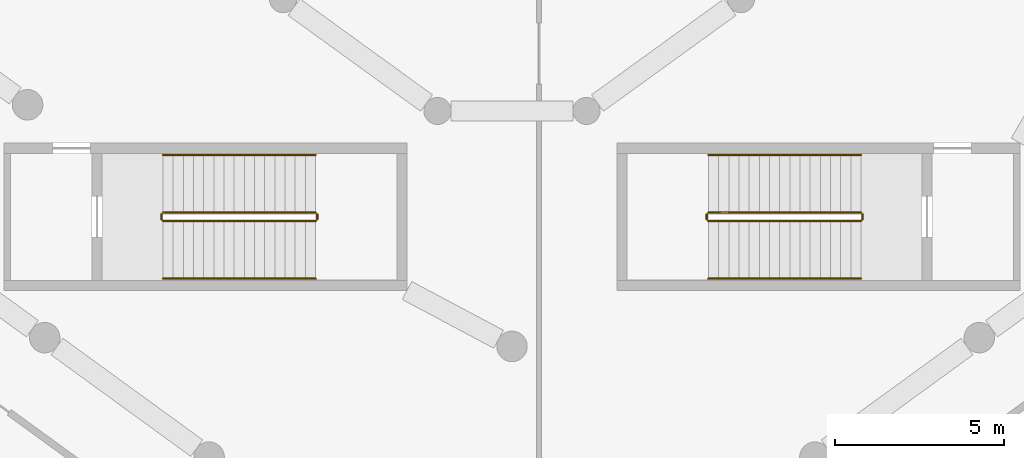
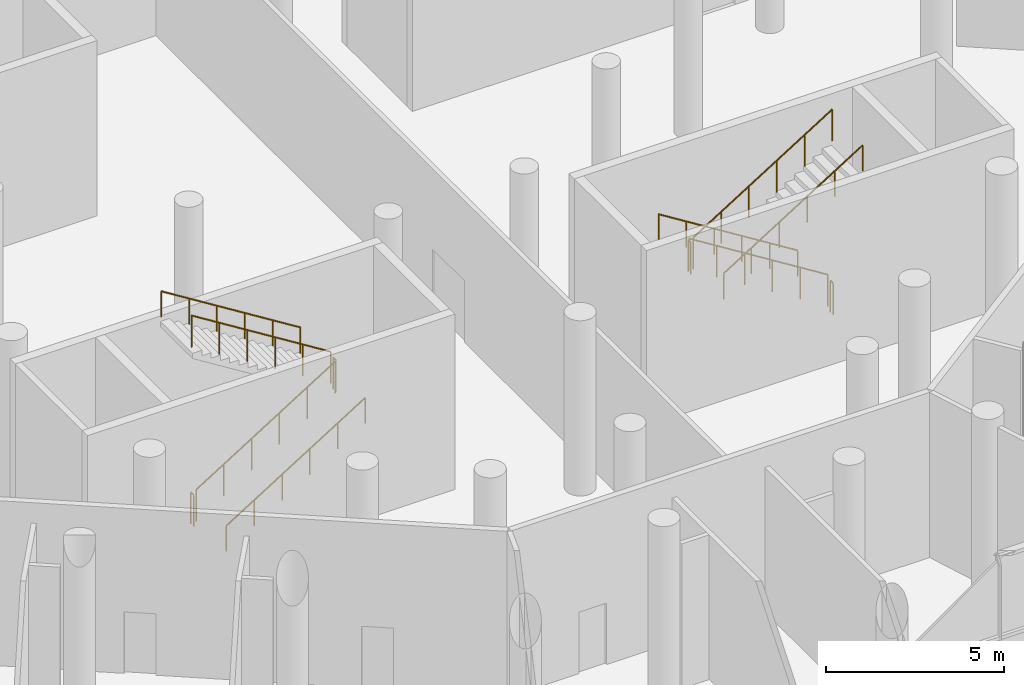
# One storey, part 20 of 23: 12 railings.
"""IFC4 building model written with IfcOpenShell, lengths in metres."""

from ifc_helpers import new_model, si_unit, direction, frame, origin, origin_2d, place, context, subcontext, project, spatial, circle, extrude, material, type_object, element, save


model = new_model("IFC4")

# Units and contexts
model_context = context("Model", 3, precision=1e-05, world=origin(), true_north=direction((0.0, 1.0)))
body_context = subcontext(model_context, "Body", "Model", "MODEL_VIEW")
ifc_project = project(units=[si_unit("LENGTHUNIT", "METRE"), si_unit("AREAUNIT", "SQUARE_METRE"), si_unit("VOLUMEUNIT", "CUBIC_METRE"), si_unit("PLANEANGLEUNIT", "RADIAN"), si_unit("MASSUNIT", "GRAM", prefix="KILO")], contexts=[model_context])

# Site, building, storey
site_placement = place(None, origin())
site = spatial("IfcSite", under=ifc_project, at=site_placement, CompositionType="ELEMENT")
building_placement = place(site_placement, origin())
building = spatial("IfcBuilding", under=site, at=building_placement, Name="White Candle Pilgrim Tower", CompositionType="ELEMENT")
storey_placement = place(building_placement, frame((0.0, 0.0, 9.0)))
storey = spatial("IfcBuildingStorey", under=building, at=storey_placement, Name="L01", CompositionType="ELEMENT", Elevation=9.0)

# Railings
ifc_material = material(Name="Stainless steel", Category="steel")
railing_type_1 = type_object("IfcRailingType", Name="Stair guard stainless steel 1100 mm", PredefinedType="GUARDRAIL", material=ifc_material)
railing_1_placement = place(storey_placement, frame((59.699951171875, 43.35009765625, 0.1875)))
element("IfcRailing", 1, at=railing_1_placement, inside=storey, type_object=railing_type_1, Name="L01 ST6 stair guard 1", PredefinedType="GUARDRAIL", context=body_context, shape_type="SweptSolid", body=[
    extrude(circle(Radius=0.02392578125, at=origin_2d()), frame((0.0, 0.0, 1.076171875), z_axis=(0.847998304005, 0.0, 0.529998940003), x_axis=(0.0, 1.0, 0.0)), (0.0, 0.0, 1.0), 5.306640625),
    extrude(circle(Radius=0.02099609375, at=origin_2d()), origin(), (0.0, 0.0, 1.0), 1.052001953125),
    extrude(circle(Radius=0.02099609375, at=origin_2d()), frame((0.89990234375, 0.0, 0.5625)), (0.0, 0.0, 1.0), 1.052001953125),
    extrude(circle(Radius=0.02099609375, at=origin_2d()), frame((1.800048828125, 0.0, 1.125)), (0.0, 0.0, 1.0), 1.052001953125),
    extrude(circle(Radius=0.02099609375, at=origin_2d()), frame((2.699951171875, 0.0, 1.6875)), (0.0, 0.0, 1.0), 1.052001953125),
    extrude(circle(Radius=0.02099609375, at=origin_2d()), frame((3.60009765625, 0.0, 2.25)), (0.0, 0.0, 1.0), 1.052001953125),
    extrude(circle(Radius=0.02099609375, at=origin_2d()), frame((4.5, 0.0, 2.8125)), (0.0, 0.0, 1.0), 1.052001953125),
])
railing_2_placement = place(storey_placement, frame((64.25, 43.39990234375, 3.0)))
element("IfcRailing", 2, at=railing_2_placement, inside=storey, type_object=railing_type_1, Name="L01 ST6 stair guard 2", PredefinedType="GUARDRAIL", context=body_context, shape_type="SweptSolid", body=[
    extrude(circle(Radius=0.02392578125, at=origin_2d()), frame((0.0, 0.0, 1.076171875), z_axis=(0.0, 1.0, 0.0), x_axis=(-1.0, 0.0, 0.0)), (0.0, 0.0, 1.0), 0.150146484375),
    extrude(circle(Radius=0.02099609375, at=origin_2d()), origin(), (0.0, 0.0, 1.0), 1.052001953125),
    extrude(circle(Radius=0.02099609375, at=origin_2d()), frame((0.0, 0.150146484375, 0.0)), (0.0, 0.0, 1.0), 1.052001953125),
])
railing_3_placement = place(storey_placement, frame((64.199951171875, 43.60009765625, 3.1875)))
element("IfcRailing", 3, at=railing_3_placement, inside=storey, type_object=railing_type_1, Name="L01 ST6 stair guard 3", PredefinedType="GUARDRAIL", context=body_context, shape_type="SweptSolid", body=[
    extrude(circle(Radius=0.02392578125, at=origin_2d()), frame((0.0, 0.0, 1.076171875), z_axis=(-0.847998304005, 0.0, 0.529998940003), x_axis=(0.0, -1.0, 0.0)), (0.0, 0.0, 1.0), 5.306640625),
    extrude(circle(Radius=0.02099609375, at=origin_2d()), origin(), (0.0, 0.0, 1.0), 1.052001953125),
    extrude(circle(Radius=0.02099609375, at=origin_2d()), frame((-0.89990234375, 0.0, 0.5625)), (0.0, 0.0, 1.0), 1.052001953125),
    extrude(circle(Radius=0.02099609375, at=origin_2d()), frame((-1.800048828125, 0.0, 1.125)), (0.0, 0.0, 1.0), 1.052001953125),
    extrude(circle(Radius=0.02099609375, at=origin_2d()), frame((-2.699951171875, 0.0, 1.6875)), (0.0, 0.0, 1.0), 1.052001953125),
    extrude(circle(Radius=0.02099609375, at=origin_2d()), frame((-3.60009765625, 0.0, 2.25)), (0.0, 0.0, 1.0), 1.052001953125),
    extrude(circle(Radius=0.02099609375, at=origin_2d()), frame((-4.5, 0.0, 2.8125)), (0.0, 0.0, 1.0), 1.052001953125),
])
railing_4_placement = place(storey_placement, frame((59.64990234375, 43.39990234375, 0.0)))
element("IfcRailing", 4, at=railing_4_placement, inside=storey, type_object=railing_type_1, Name="L01 ST6 stair guard 4", PredefinedType="GUARDRAIL", context=body_context, shape_type="SweptSolid", body=[
    extrude(circle(Radius=0.02392578125, at=origin_2d()), frame((0.0, 0.0, 1.076171875), z_axis=(0.0, 1.0, 0.0), x_axis=(-1.0, 0.0, 0.0)), (0.0, 0.0, 1.0), 0.150146484375),
    extrude(circle(Radius=0.02099609375, at=origin_2d()), origin(), (0.0, 0.0, 1.0), 1.052001953125),
    extrude(circle(Radius=0.02099609375, at=origin_2d()), frame((0.0, 0.150146484375, 0.0)), (0.0, 0.0, 1.0), 1.052001953125),
])
railing_5_placement = place(storey_placement, frame((80.300048828125, 43.60009765625, 0.1875)))
element("IfcRailing", 5, at=railing_5_placement, inside=storey, type_object=railing_type_1, Name="L01 ST7 stair guard 1", PredefinedType="GUARDRAIL", context=body_context, shape_type="SweptSolid", body=[
    extrude(circle(Radius=0.02392578125, at=origin_2d()), frame((0.0, 0.0, 1.076171875), z_axis=(-0.847998304005, 0.0, 0.529998940003), x_axis=(0.0, -1.0, 0.0)), (0.0, 0.0, 1.0), 5.306640625),
    extrude(circle(Radius=0.02099609375, at=origin_2d()), origin(), (0.0, 0.0, 1.0), 1.052001953125),
    extrude(circle(Radius=0.02099609375, at=origin_2d()), frame((-0.89990234375, 0.0, 0.5625)), (0.0, 0.0, 1.0), 1.052001953125),
    extrude(circle(Radius=0.02099609375, at=origin_2d()), frame((-1.800048828125, 0.0, 1.125)), (0.0, 0.0, 1.0), 1.052001953125),
    extrude(circle(Radius=0.02099609375, at=origin_2d()), frame((-2.699951171875, 0.0, 1.6875)), (0.0, 0.0, 1.0), 1.052001953125),
    extrude(circle(Radius=0.02099609375, at=origin_2d()), frame((-3.60009765625, 0.0, 2.25)), (0.0, 0.0, 1.0), 1.052001953125),
    extrude(circle(Radius=0.02099609375, at=origin_2d()), frame((-4.5, 0.0, 2.8125)), (0.0, 0.0, 1.0), 1.052001953125),
])
railing_6_placement = place(storey_placement, frame((75.75, 43.550048828125, 3.0)))
element("IfcRailing", 6, at=railing_6_placement, inside=storey, type_object=railing_type_1, Name="L01 ST7 stair guard 2", PredefinedType="GUARDRAIL", context=body_context, shape_type="SweptSolid", body=[
    extrude(circle(Radius=0.02392578125, at=origin_2d()), frame((0.0, 0.0, 1.076171875), z_axis=(0.0, -1.0, 0.0), x_axis=(1.0, 0.0, 0.0)), (0.0, 0.0, 1.0), 0.150146484375),
    extrude(circle(Radius=0.02099609375, at=origin_2d()), origin(), (0.0, 0.0, 1.0), 1.052001953125),
    extrude(circle(Radius=0.02099609375, at=origin_2d()), frame((0.0, -0.150146484375, 0.0)), (0.0, 0.0, 1.0), 1.052001953125),
])
railing_7_placement = place(storey_placement, frame((75.800048828125, 43.35009765625, 3.1875)))
element("IfcRailing", 7, at=railing_7_placement, inside=storey, type_object=railing_type_1, Name="L01 ST7 stair guard 3", PredefinedType="GUARDRAIL", context=body_context, shape_type="SweptSolid", body=[
    extrude(circle(Radius=0.02392578125, at=origin_2d()), frame((0.0, 0.0, 1.076171875), z_axis=(0.847998304005, 0.0, 0.529998940003), x_axis=(0.0, 1.0, 0.0)), (0.0, 0.0, 1.0), 5.306640625),
    extrude(circle(Radius=0.02099609375, at=origin_2d()), origin(), (0.0, 0.0, 1.0), 1.052001953125),
    extrude(circle(Radius=0.02099609375, at=origin_2d()), frame((0.89990234375, 0.0, 0.5625)), (0.0, 0.0, 1.0), 1.052001953125),
    extrude(circle(Radius=0.02099609375, at=origin_2d()), frame((1.800048828125, 0.0, 1.125)), (0.0, 0.0, 1.0), 1.052001953125),
    extrude(circle(Radius=0.02099609375, at=origin_2d()), frame((2.699951171875, 0.0, 1.6875)), (0.0, 0.0, 1.0), 1.052001953125),
    extrude(circle(Radius=0.02099609375, at=origin_2d()), frame((3.60009765625, 0.0, 2.25)), (0.0, 0.0, 1.0), 1.052001953125),
    extrude(circle(Radius=0.02099609375, at=origin_2d()), frame((4.5, 0.0, 2.8125)), (0.0, 0.0, 1.0), 1.052001953125),
])
railing_8_placement = place(storey_placement, frame((80.35009765625, 43.550048828125, 0.0)))
element("IfcRailing", 8, at=railing_8_placement, inside=storey, type_object=railing_type_1, Name="L01 ST7 stair guard 4", PredefinedType="GUARDRAIL", context=body_context, shape_type="SweptSolid", body=[
    extrude(circle(Radius=0.02392578125, at=origin_2d()), frame((0.0, 0.0, 1.076171875), z_axis=(0.0, -1.0, 0.0), x_axis=(1.0, 0.0, 0.0)), (0.0, 0.0, 1.0), 0.150146484375),
    extrude(circle(Radius=0.02099609375, at=origin_2d()), origin(), (0.0, 0.0, 1.0), 1.052001953125),
    extrude(circle(Radius=0.02099609375, at=origin_2d()), frame((0.0, -0.150146484375, 0.0)), (0.0, 0.0, 1.0), 1.052001953125),
])
railing_type_2 = type_object("IfcRailingType", Name="Stair handrail stainless steel", PredefinedType="HANDRAIL", material=ifc_material)
railing_9_placement = place(storey_placement, frame((59.699951171875, 41.64990234375, 0.1875)))
element("IfcRailing", 9, at=railing_9_placement, inside=storey, type_object=railing_type_2, Name="L01 ST6 stair handrail 1", PredefinedType="HANDRAIL", context=body_context, shape_type="SweptSolid", body=[
    extrude(circle(Radius=0.02392578125, at=origin_2d()), frame((0.0, 0.0, 0.8759765625), z_axis=(0.847998304005, 0.0, 0.529998940003), x_axis=(0.0, 1.0, 0.0)), (0.0, 0.0, 1.0), 5.306640625),
    extrude(circle(Radius=0.02099609375, at=origin_2d()), origin(), (0.0, 0.0, 1.0), 0.851806640625),
    extrude(circle(Radius=0.02099609375, at=origin_2d()), frame((0.89990234375, 0.0, 0.5625)), (0.0, 0.0, 1.0), 0.851806640625),
    extrude(circle(Radius=0.02099609375, at=origin_2d()), frame((1.800048828125, 0.0, 1.125)), (0.0, 0.0, 1.0), 0.851806640625),
    extrude(circle(Radius=0.02099609375, at=origin_2d()), frame((2.699951171875, 0.0, 1.6875)), (0.0, 0.0, 1.0), 0.851806640625),
    extrude(circle(Radius=0.02099609375, at=origin_2d()), frame((3.60009765625, 0.0, 2.25)), (0.0, 0.0, 1.0), 0.851806640625),
    extrude(circle(Radius=0.02099609375, at=origin_2d()), frame((4.5, 0.0, 2.8125)), (0.0, 0.0, 1.0), 0.851806640625),
])
for number, where, name in (
    (10, (64.199951171875, 45.300048828125, 3.1875), "L01 ST6 stair handrail 2"),
    (11, (80.300048828125, 45.300048828125, 0.1875), "L01 ST7 stair handrail 1"),
):
    element("IfcRailing", number, at=place(storey_placement, frame(where)), inside=storey, type_object=railing_type_2, Name=name, PredefinedType="HANDRAIL", context=body_context, shape_type="SweptSolid", body=[
        extrude(circle(Radius=0.02392578125, at=origin_2d()), frame((0.0, 0.0, 0.8759765625), z_axis=(-0.847998304005, 0.0, 0.529998940003), x_axis=(0.0, -1.0, 0.0)), (0.0, 0.0, 1.0), 5.306640625),
        extrude(circle(Radius=0.02099609375, at=origin_2d()), origin(), (0.0, 0.0, 1.0), 0.851806640625),
        extrude(circle(Radius=0.02099609375, at=origin_2d()), frame((-0.89990234375, 0.0, 0.5625)), (0.0, 0.0, 1.0), 0.851806640625),
        extrude(circle(Radius=0.02099609375, at=origin_2d()), frame((-1.800048828125, 0.0, 1.125)), (0.0, 0.0, 1.0), 0.851806640625),
        extrude(circle(Radius=0.02099609375, at=origin_2d()), frame((-2.699951171875, 0.0, 1.6875)), (0.0, 0.0, 1.0), 0.851806640625),
        extrude(circle(Radius=0.02099609375, at=origin_2d()), frame((-3.60009765625, 0.0, 2.25)), (0.0, 0.0, 1.0), 0.851806640625),
        extrude(circle(Radius=0.02099609375, at=origin_2d()), frame((-4.5, 0.0, 2.8125)), (0.0, 0.0, 1.0), 0.851806640625),
    ])
railing_10_placement = place(storey_placement, frame((75.800048828125, 41.64990234375, 3.1875)))
element("IfcRailing", 12, at=railing_10_placement, inside=storey, type_object=railing_type_2, Name="L01 ST7 stair handrail 2", PredefinedType="HANDRAIL", context=body_context, shape_type="SweptSolid", body=[
    extrude(circle(Radius=0.02392578125, at=origin_2d()), frame((0.0, 0.0, 0.8759765625), z_axis=(0.847998304005, 0.0, 0.529998940003), x_axis=(0.0, 1.0, 0.0)), (0.0, 0.0, 1.0), 5.306640625),
    extrude(circle(Radius=0.02099609375, at=origin_2d()), origin(), (0.0, 0.0, 1.0), 0.851806640625),
    extrude(circle(Radius=0.02099609375, at=origin_2d()), frame((0.89990234375, 0.0, 0.5625)), (0.0, 0.0, 1.0), 0.851806640625),
    extrude(circle(Radius=0.02099609375, at=origin_2d()), frame((1.800048828125, 0.0, 1.125)), (0.0, 0.0, 1.0), 0.851806640625),
    extrude(circle(Radius=0.02099609375, at=origin_2d()), frame((2.699951171875, 0.0, 1.6875)), (0.0, 0.0, 1.0), 0.851806640625),
    extrude(circle(Radius=0.02099609375, at=origin_2d()), frame((3.60009765625, 0.0, 2.25)), (0.0, 0.0, 1.0), 0.851806640625),
    extrude(circle(Radius=0.02099609375, at=origin_2d()), frame((4.5, 0.0, 2.8125)), (0.0, 0.0, 1.0), 0.851806640625),
])

save(model, "model.ifc")
